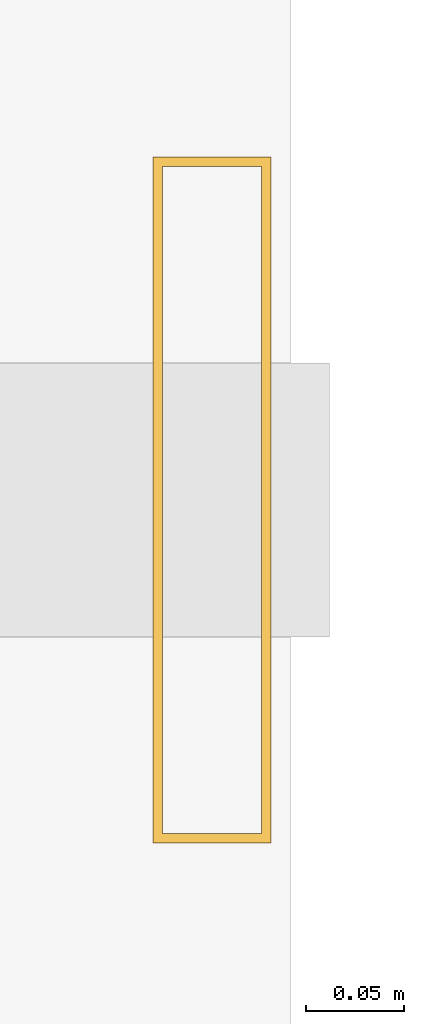
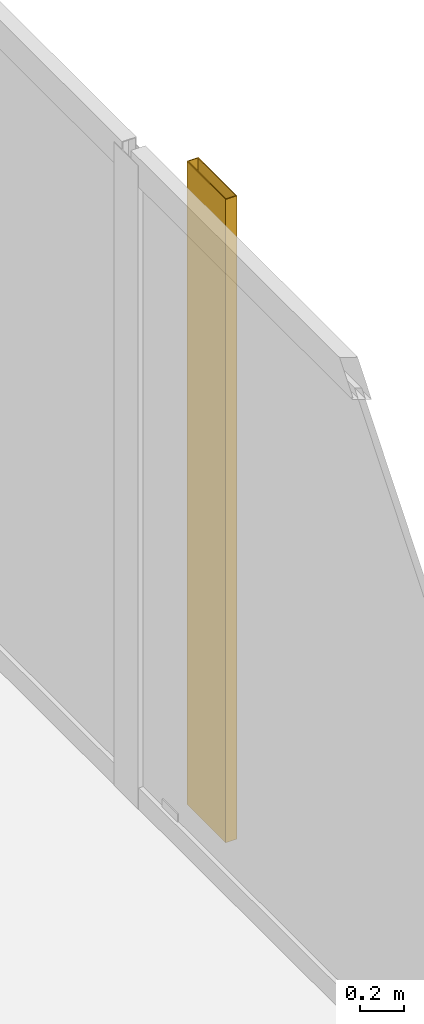
# One storey, part 31 of 31: 1 shading device.
"""IFC4 building model written with IfcOpenShell, lengths in metres."""

from ifc_helpers import new_model, si_unit, direction, frame, origin, origin_2d, place, context, subcontext, project, spatial, hollow_rectangle, extrude, material, material_profile, profile_set, type_object, element, save


model = new_model("IFC4")

# Units and contexts
model_context = context("Model", 3, precision=1e-05, world=origin(), true_north=direction((0.0, 1.0)))
body_context = subcontext(model_context, "Body", "Model", "MODEL_VIEW")
ifc_project = project(units=[si_unit("LENGTHUNIT", "METRE"), si_unit("AREAUNIT", "SQUARE_METRE"), si_unit("VOLUMEUNIT", "CUBIC_METRE"), si_unit("PLANEANGLEUNIT", "RADIAN"), si_unit("MASSUNIT", "GRAM", prefix="KILO")], contexts=[model_context])

# Site, building, storey
site_placement = place(None, origin())
site = spatial("IfcSite", under=ifc_project, at=site_placement, CompositionType="ELEMENT")
building_placement = place(site_placement, origin())
building = spatial("IfcBuilding", under=site, at=building_placement, Name="Kolvaren Waterfront Exchange", CompositionType="ELEMENT")
storey_placement = place(building_placement, frame((0.0, 0.0, 67.60009765625)))
storey = spatial("IfcBuildingStorey", under=building, at=storey_placement, Name="L17", CompositionType="ELEMENT", Elevation=67.60009765625)

# Shading device
ifc_material = material(Name="Anodised bronze aluminium 6063-T6", Category="aluminium")
ifc_material_profile = material_profile(ifc_material, hollow_rectangle(XDim=0.06005859375, YDim=0.35009765625, WallThickness=0.0048828125, at=origin_2d()), Name="BRZ-FIN-350x60x5")
ifc_profile_set = profile_set([ifc_material_profile], Name="Anodised bronze aluminium 6063-T6")
shading_device_type = type_object("IfcShadingDeviceType", Name="ARC-FIN-350", PredefinedType="USERDEFINED", material=ifc_profile_set)
shading_device_placement = place(storey_placement, frame((25.56005859375, 35.60009765625, 0.0), z_axis=(0.0, 0.0, 1.0), x_axis=(1.0, 0.0, 0.0)))
element("IfcShadingDevice", 1, at=shading_device_placement, inside=storey, type_object=shading_device_type, Name="L17 anodised bronze solar shading fin FIN-L17-E3", ObjectType="SOLAR FIN", PredefinedType="USERDEFINED", context=body_context, shape_type="SweptSolid", body=[
    extrude(hollow_rectangle(XDim=0.06005859375, YDim=0.35009765625, WallThickness=0.0048828125, at=origin_2d()), origin(), (0.0, 0.0, 1.0), 3.539794921875),
])

save(model, "model.ifc")
